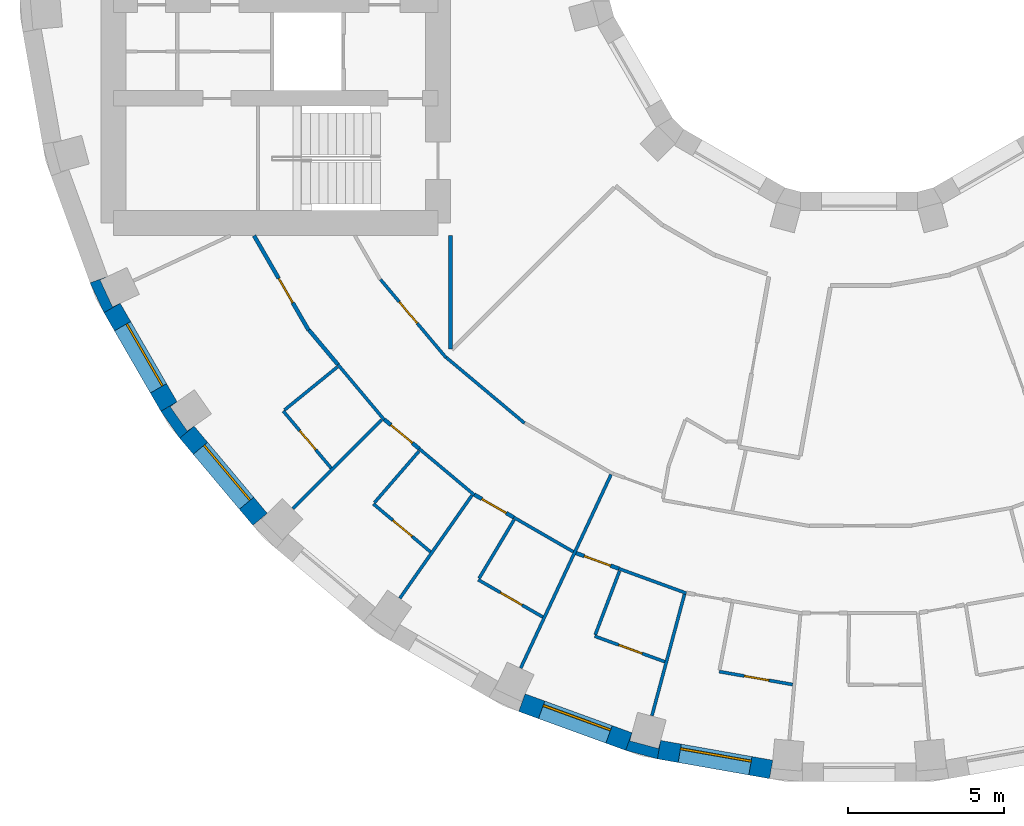
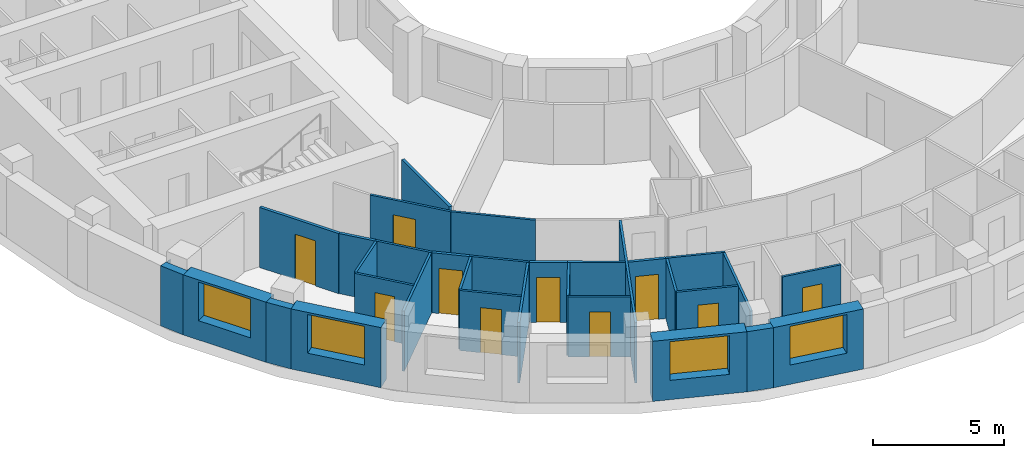
# One storey, part 4 of 14: 32 walls, 10 doors, 4 windows, 14 openings.
"""IFC4 building model written with IfcOpenShell, lengths in metres."""

from ifc_helpers import new_model, si_unit, direction, frame, frame_2d, origin, place, context, subcontext, project, spatial, polyline, rectangle, outline, extrude, material, layer, layer_set, type_object, element, fill, save


model = new_model("IFC4")

# Units and contexts
model_context = context("Model", 3, precision=1e-05, world=origin(), true_north=direction((0.0, 1.0)))
body_context = subcontext(model_context, "Body", "Model", "MODEL_VIEW")
ifc_project = project(units=[si_unit("LENGTHUNIT", "METRE"), si_unit("AREAUNIT", "SQUARE_METRE"), si_unit("VOLUMEUNIT", "CUBIC_METRE"), si_unit("PLANEANGLEUNIT", "RADIAN"), si_unit("MASSUNIT", "GRAM", prefix="KILO")], contexts=[model_context])

# Site, building, storey
site_placement = place(None, origin())
site = spatial("IfcSite", under=ifc_project, at=site_placement, CompositionType="ELEMENT")
building_placement = place(site_placement, origin())
building = spatial("IfcBuilding", under=site, at=building_placement, Name="Saqina Gate Tower", CompositionType="ELEMENT")
storey_placement = place(building_placement, frame((0.0, 0.0, 95.199951171875)))
storey = spatial("IfcBuildingStorey", under=building, at=storey_placement, Name="L26", CompositionType="ELEMENT", Elevation=95.199951171875)

# Walls
ifc_material_1 = material(Name="Brick masonry (buff)", Category="masonry")
wall_type_1 = type_object("IfcWallType", Name="BRICK PIER COPING BUFF", PredefinedType="SOLIDWALL", material=ifc_material_1)
wall_1_placement = place(storey_placement, origin())
element("IfcWall", 1, at=wall_1_placement, inside=storey, type_object=wall_type_1, Name="Pier cap L26 column 21", PredefinedType="SOLIDWALL", context=body_context, shape_type="SweptSolid", body=[
    extrude(outline(polyline([(-24.6513671875, -10.913330078125), (-24.205810546875, -11.869140625), (-23.68603515625, -11.569091796875), (-23.9296875, -11.6826171875), (-24.331298828125, -10.82177734375), (-24.08740234375, -10.7080078125), (-24.6513671875, -10.913330078125)])), origin(), (0.0, 0.0, 1.0), 2.800048828125),
])
wall_2_placement = place(storey_placement, origin())
element("IfcWall", 2, at=wall_2_placement, inside=storey, type_object=wall_type_1, Name="Pier cap L26 column 22", PredefinedType="SOLIDWALL", context=body_context, shape_type="SweptSolid", body=[
    extrude(outline(polyline([(-21.77685546875, -15.89208984375), (-21.317138671875, -15.50634765625), (-21.53759765625, -15.66064453125), (-22.08251953125, -14.88232421875), (-21.862060546875, -14.728271484375), (-22.3818359375, -15.0283203125), (-21.77685546875, -15.89208984375)])), origin(), (0.0, 0.0, 1.0), 2.800048828125),
])
wall_3_placement = place(storey_placement, origin())
element("IfcWall", 3, at=wall_3_placement, inside=storey, type_object=wall_type_1, Name="Pier cap L26 column 26", PredefinedType="SOLIDWALL", context=body_context, shape_type="SweptSolid", body=[
    extrude(outline(polyline([(-7.485595703125, -25.89892578125), (-6.466796875, -26.171875), (-6.36279296875, -25.5810546875), (-6.43212890625, -25.8408203125), (-7.349853515625, -25.5947265625), (-7.2802734375, -25.335205078125), (-7.485595703125, -25.89892578125)])), origin(), (0.0, 0.0, 1.0), 2.800048828125),
])

# Wall, opening, window
ifc_material_2 = material(Name="Brick masonry (buff)", Category="masonry")
ifc_layer_1 = layer(ifc_material_2, 0.60009765625)
ifc_layer_set_1 = layer_set([ifc_layer_1], Name="FW-BRICK-BUFF")
wall_type_2 = type_object("IfcWallType", Name="FW-BRICK-BUFF", PredefinedType="SOLIDWALL", material=ifc_layer_set_1)
wall_4_placement = place(storey_placement, frame((-23.94580078125, -11.718994140625, 0.0), z_axis=(0.0, 0.0, 1.0), x_axis=(0.499954196102, -0.866051847062, 0.0)))
wall_4 = element("IfcWall", 4, at=wall_4_placement, inside=storey, type_object=wall_type_2, Name="Facade wall L26 facet 21", PredefinedType="SOLIDWALL", context=body_context, shape_type="SweptSolid", body=[
    extrude(rectangle(XDim=3.647705078125, YDim=0.60009765625, at=frame_2d((1.82373046875, 0.0))), origin(), (0.0, 0.0, 1.0), 2.800048828125),
])
opening_1_placement = place(wall_4_placement, frame((0.673828125, 0.0, 0.89990234375)))
opening_1 = element("IfcOpeningElement", 5, at=opening_1_placement, cuts=wall_4, Name="Opening G07-W10", PredefinedType="OPENING", context=body_context, shape_type="SweptSolid", body=[
    extrude(rectangle(XDim=2.300048828125, YDim=1.800048828125, at=frame_2d((1.14990234375, 0.89990234375))), frame((0.0, 0.31201171875, 0.0), z_axis=(0.0, -1.0, 0.0), x_axis=(1.0, 0.0, 0.0)), (0.0, 0.0, 1.0), 0.6240234375),
])
ifc_material_3 = material(Name="Aluminium glazing", Category="aluminium")
window_type = type_object("IfcWindowType", Name="WN-B", PartitioningType="SINGLE_PANEL", PredefinedType="WINDOW", material=ifc_material_3)
window_1_placement = place(opening_1_placement, origin())
window_1 = element("IfcWindow", 6, at=window_1_placement, inside=storey, type_object=window_type, Name="Window L26 facet 21", OverallHeight=1.800048828125, OverallWidth=2.300048828125, PartitioningType="SINGLE_PANEL", PredefinedType="WINDOW", context=body_context, shape_type="SweptSolid", body=[
    extrude(rectangle(XDim=2.300048828125, YDim=1.800048828125, at=frame_2d((1.14990234375, 0.89990234375))), frame((0.0, 0.179931640625, 0.0), z_axis=(0.0, -1.0, 0.0), x_axis=(1.0, 0.0, 0.0)), (0.0, 0.0, 1.0), 0.06005859375),
])
fill(opening_1, window_1)

wall_5_placement = place(storey_placement, frame((-21.547119140625, -15.69921875, 0.0), z_axis=(0.0, 0.0, 1.0), x_axis=(0.642774476932, -0.766055462616, 0.0)))
wall_5 = element("IfcWall", 7, at=wall_5_placement, inside=storey, type_object=wall_type_2, Name="Facade wall L26 facet 22", PredefinedType="SOLIDWALL", context=body_context, shape_type="SweptSolid", body=[
    extrude(rectangle(XDim=3.647705078125, YDim=0.60009765625, at=frame_2d((1.82373046875, 0.0))), origin(), (0.0, 0.0, 1.0), 2.800048828125),
])
opening_2_placement = place(wall_5_placement, frame((0.673828125, 0.0, 0.89990234375)))
opening_2 = element("IfcOpeningElement", 8, at=opening_2_placement, cuts=wall_5, Name="Opening G07-W11", PredefinedType="OPENING", context=body_context, shape_type="SweptSolid", body=[
    extrude(rectangle(XDim=2.300048828125, YDim=1.800048828125, at=frame_2d((1.14990234375, 0.89990234375))), frame((0.0, 0.31201171875, 0.0), z_axis=(0.0, -1.0, 0.0), x_axis=(1.0, 0.0, 0.0)), (0.0, 0.0, 1.0), 0.6240234375),
])
window_2_placement = place(opening_2_placement, origin())
window_2 = element("IfcWindow", 9, at=window_2_placement, inside=storey, type_object=window_type, Name="Window L26 facet 22", OverallHeight=1.800048828125, OverallWidth=2.300048828125, PartitioningType="SINGLE_PANEL", PredefinedType="WINDOW", context=body_context, shape_type="SweptSolid", body=[
    extrude(rectangle(XDim=2.300048828125, YDim=1.800048828125, at=frame_2d((1.14990234375, 0.89990234375))), frame((0.0, 0.179931640625, 0.0), z_axis=(0.0, -1.0, 0.0), x_axis=(1.0, 0.0, 0.0)), (0.0, 0.0, 1.0), 0.06005859375),
])
fill(opening_2, window_2)

wall_6_placement = place(storey_placement, frame((-10.810791015625, -24.369384765625, 0.0), z_axis=(0.0, 0.0, 1.0), x_axis=(0.939703505393, -0.341990236633, 0.0)))
wall_6 = element("IfcWall", 10, at=wall_6_placement, inside=storey, type_object=wall_type_2, Name="Facade wall L26 facet 25", PredefinedType="SOLIDWALL", context=body_context, shape_type="SweptSolid", body=[
    extrude(rectangle(XDim=3.64794921875, YDim=0.60009765625, at=frame_2d((1.823974609375, 0.0))), origin(), (0.0, 0.0, 1.0), 2.800048828125),
])
opening_3_placement = place(wall_6_placement, frame((0.673828125, 0.0, 0.89990234375)))
opening_3 = element("IfcOpeningElement", 11, at=opening_3_placement, cuts=wall_6, Name="Opening G07-W14", PredefinedType="OPENING", context=body_context, shape_type="SweptSolid", body=[
    extrude(rectangle(XDim=2.300048828125, YDim=1.800048828125, at=frame_2d((1.14990234375, 0.89990234375))), frame((0.0, 0.31201171875, 0.0), z_axis=(0.0, -1.0, 0.0), x_axis=(1.0, 0.0, 0.0)), (0.0, 0.0, 1.0), 0.6240234375),
])
window_3_placement = place(opening_3_placement, origin())
window_3 = element("IfcWindow", 12, at=window_3_placement, inside=storey, type_object=window_type, Name="Window L26 facet 25", OverallHeight=1.800048828125, OverallWidth=2.300048828125, PartitioningType="SINGLE_PANEL", PredefinedType="WINDOW", context=body_context, shape_type="SweptSolid", body=[
    extrude(rectangle(XDim=2.300048828125, YDim=1.800048828125, at=frame_2d((1.14990234375, 0.89990234375))), frame((0.0, 0.179931640625, 0.0), z_axis=(0.0, -1.0, 0.0), x_axis=(1.0, 0.0, 0.0)), (0.0, 0.0, 1.0), 0.06005859375),
])
fill(opening_3, window_3)

wall_7_placement = place(storey_placement, frame((-6.414794921875, -25.87646484375, 0.0), z_axis=(0.0, 0.0, 1.0), x_axis=(0.984803764455, -0.173670796382, 0.0)))
wall_7 = element("IfcWall", 13, at=wall_7_placement, inside=storey, type_object=wall_type_2, Name="Facade wall L26 facet 26", PredefinedType="SOLIDWALL", context=body_context, shape_type="SweptSolid", body=[
    extrude(rectangle(XDim=3.64794921875, YDim=0.60009765625, at=frame_2d((1.823974609375, 0.0))), origin(), (0.0, 0.0, 1.0), 2.800048828125),
])
opening_4_placement = place(wall_7_placement, frame((0.673828125, 0.0, 0.89990234375)))
opening_4 = element("IfcOpeningElement", 14, at=opening_4_placement, cuts=wall_7, Name="Opening G07-W15", PredefinedType="OPENING", context=body_context, shape_type="SweptSolid", body=[
    extrude(rectangle(XDim=2.300048828125, YDim=1.800048828125, at=frame_2d((1.14990234375, 0.89990234375))), frame((0.0, 0.31201171875, 0.0), z_axis=(0.0, -1.0, 0.0), x_axis=(1.0, 0.0, 0.0)), (0.0, 0.0, 1.0), 0.6240234375),
])
window_4_placement = place(opening_4_placement, origin())
window_4 = element("IfcWindow", 15, at=window_4_placement, inside=storey, type_object=window_type, Name="Window L26 facet 26", OverallHeight=1.800048828125, OverallWidth=2.300048828125, PartitioningType="SINGLE_PANEL", PredefinedType="WINDOW", context=body_context, shape_type="SweptSolid", body=[
    extrude(rectangle(XDim=2.300048828125, YDim=1.800048828125, at=frame_2d((1.14990234375, 0.89990234375))), frame((0.0, 0.179931640625, 0.0), z_axis=(0.0, -1.0, 0.0), x_axis=(1.0, 0.0, 0.0)), (0.0, 0.0, 1.0), 0.06005859375),
])
fill(opening_4, window_4)

# Wall, opening, door
ifc_material_4 = material(Name="Gypsum board on steel studs, 100 mm", Category="steel")
ifc_layer_2 = layer(ifc_material_4, 0.10009765625)
ifc_layer_set_2 = layer_set([ifc_layer_2], Name="PARTITION 100")
wall_type_3 = type_object("IfcWallType", Name="PARTITION 100", PredefinedType="PARTITIONING", material=ifc_layer_set_2)
wall_8_placement = place(storey_placement, frame((-18.4599609375, -15.02197265625, 0.0), z_axis=(0.0, 0.0, 1.0), x_axis=(0.642942941421, -0.765914077477, 0.0)))
wall_8 = element("IfcWall", 16, at=wall_8_placement, inside=storey, type_object=wall_type_3, Name="PARTITION PW3-16", PredefinedType="PARTITIONING", context=body_context, shape_type="SweptSolid", body=[
    extrude(rectangle(XDim=2.390380859375, YDim=0.10009765625, at=frame_2d((1.1953125, 0.0))), origin(), (0.0, 0.0, 1.0), 2.800048828125),
])
opening_5_placement = place(wall_8_placement, frame((0.82080078125, 0.0, 0.0)))
opening_5 = element("IfcOpeningElement", 17, at=opening_5_placement, cuts=wall_8, Name="Opening G07-D26", PredefinedType="OPENING", context=body_context, shape_type="SweptSolid", body=[
    extrude(rectangle(XDim=0.800048828125, YDim=2.10009765625, at=frame_2d((0.39990234375, 1.050048828125))), frame((0.0, 0.06201171875, 0.0), z_axis=(0.0, -1.0, 0.0), x_axis=(1.0, 0.0, 0.0)), (0.0, 0.0, 1.0), 0.1240234375),
])
ifc_material_5 = material(Name="Timber door leaf, 800 mm", Category="wood")
door_type_1 = type_object("IfcDoorType", Name="DOOR 800 TIMBER", OperationType="SINGLE_SWING_LEFT", PredefinedType="DOOR", material=ifc_material_5)
door_1_placement = place(opening_5_placement, frame((0.800048828125, 0.0, 0.0), z_axis=(0.0, 0.0, 1.0), x_axis=(-1.0, 0.0, 0.0)))
door_1 = element("IfcDoor", 18, at=door_1_placement, inside=storey, type_object=door_type_1, Name="DOOR G07-D26", OperationType="SINGLE_SWING_LEFT", OverallHeight=2.10009765625, OverallWidth=0.800048828125, PredefinedType="DOOR", context=body_context, shape_type="SweptSolid", body=[
    extrude(rectangle(XDim=0.800048828125, YDim=2.10009765625, at=frame_2d((0.39990234375, 1.050048828125))), frame((0.0, 0.02490234375, 0.0), z_axis=(0.0, -1.0, 0.0), x_axis=(1.0, 0.0, 0.0)), (0.0, 0.0, 1.0), 0.050048828125),
])
fill(opening_5, door_1)

# Wall
wall_9_placement = place(storey_placement, frame((-16.708251953125, -13.53173828125, 0.0), z_axis=(0.0, 0.0, 1.0), x_axis=(0.642762571273, -0.766065452145, 0.0)))
element("IfcWall", 19, at=wall_9_placement, inside=storey, type_object=wall_type_3, Name="PARTITION PW3-17", PredefinedType="PARTITIONING", context=body_context, shape_type="SweptSolid", body=[
    extrude(rectangle(XDim=2.306640625, YDim=0.10009765625, at=frame_2d((1.1533203125, 0.0))), origin(), (0.0, 0.0, 1.0), 2.800048828125),
])

# Wall, opening, door
wall_10_placement = place(storey_placement, frame((-15.34375, -10.80419921875, 0.0), z_axis=(0.0, 0.0, 1.0), x_axis=(0.642602374159, -0.766199836025, 0.0)))
wall_10 = element("IfcWall", 20, at=wall_10_placement, inside=storey, type_object=wall_type_3, Name="PARTITION PW3-18", PredefinedType="PARTITIONING", context=body_context, shape_type="SweptSolid", body=[
    extrude(rectangle(XDim=3.27294921875, YDim=0.10009765625, at=frame_2d((1.636474609375, 0.0))), origin(), (0.0, 0.0, 1.0), 2.800048828125),
])
opening_6_placement = place(wall_10_placement, frame((0.93603515625, 0.0, 0.0)))
opening_6 = element("IfcOpeningElement", 21, at=opening_6_placement, cuts=wall_10, Name="Opening G07-D25", PredefinedType="OPENING", context=body_context, shape_type="SweptSolid", body=[
    extrude(rectangle(XDim=0.89990234375, YDim=2.10009765625, at=frame_2d((0.449951171875, 1.050048828125))), frame((0.0, 0.06201171875, 0.0), z_axis=(0.0, -1.0, 0.0), x_axis=(1.0, 0.0, 0.0)), (0.0, 0.0, 1.0), 0.1240234375),
])
ifc_material_6 = material(Name="Timber door leaf, 900 mm", Category="wood")
door_type_2 = type_object("IfcDoorType", Name="DOOR 900 TIMBER", OperationType="SINGLE_SWING_LEFT", PredefinedType="DOOR", material=ifc_material_6)
door_2_placement = place(opening_6_placement, origin())
door_2 = element("IfcDoor", 22, at=door_2_placement, inside=storey, type_object=door_type_2, Name="DOOR G07-D25", OperationType="SINGLE_SWING_RIGHT", OverallHeight=2.10009765625, OverallWidth=0.89990234375, PredefinedType="DOOR", context=body_context, shape_type="SweptSolid", body=[
    extrude(rectangle(XDim=0.89990234375, YDim=2.10009765625, at=frame_2d((0.449951171875, 1.050048828125))), frame((0.0, 0.02490234375, 0.0), z_axis=(0.0, -1.0, 0.0), x_axis=(1.0, 0.0, 0.0)), (0.0, 0.0, 1.0), 0.050048828125),
])
fill(opening_6, door_2)

wall_11_placement = place(storey_placement, frame((-15.571044921875, -17.9990234375, 0.0), z_axis=(0.0, 0.0, 1.0), x_axis=(0.765914077477, -0.642942941421, 0.0)))
wall_11 = element("IfcWall", 23, at=wall_11_placement, inside=storey, type_object=wall_type_3, Name="PARTITION PW3-23", PredefinedType="PARTITIONING", context=body_context, shape_type="SweptSolid", body=[
    extrude(rectangle(XDim=2.390380859375, YDim=0.10009765625, at=frame_2d((1.1953125, 0.0))), origin(), (0.0, 0.0, 1.0), 2.800048828125),
])
opening_7_placement = place(wall_11_placement, frame((0.820068359375, 0.0, 0.0)))
opening_7 = element("IfcOpeningElement", 24, at=opening_7_placement, cuts=wall_11, Name="Opening G07-D28", PredefinedType="OPENING", context=body_context, shape_type="SweptSolid", body=[
    extrude(rectangle(XDim=0.800048828125, YDim=2.10009765625, at=frame_2d((0.39990234375, 1.050048828125))), frame((0.0, 0.06201171875, 0.0), z_axis=(0.0, -1.0, 0.0), x_axis=(1.0, 0.0, 0.0)), (0.0, 0.0, 1.0), 0.1240234375),
])
door_3_placement = place(opening_7_placement, frame((0.800048828125, 0.0, 0.0), z_axis=(0.0, 0.0, 1.0), x_axis=(-1.0, 0.0, 0.0)))
door_3 = element("IfcDoor", 25, at=door_3_placement, inside=storey, type_object=door_type_1, Name="DOOR G07-D28", OperationType="SINGLE_SWING_LEFT", OverallHeight=2.10009765625, OverallWidth=0.800048828125, PredefinedType="DOOR", context=body_context, shape_type="SweptSolid", body=[
    extrude(rectangle(XDim=0.800048828125, YDim=2.10009765625, at=frame_2d((0.39990234375, 1.050048828125))), frame((0.0, 0.02490234375, 0.0), z_axis=(0.0, -1.0, 0.0), x_axis=(1.0, 0.0, 0.0)), (0.0, 0.0, 1.0), 0.050048828125),
])
fill(opening_7, door_3)

# Walls
wall_12_placement = place(storey_placement, frame((-14.104248046875, -16.227783203125, 0.0), z_axis=(0.0, 0.0, 1.0), x_axis=(0.76604687987, -0.642784705669, 0.0)))
element("IfcWall", 26, at=wall_12_placement, inside=storey, type_object=wall_type_3, Name="PARTITION PW3-24", PredefinedType="PARTITIONING", context=body_context, shape_type="SweptSolid", body=[
    extrude(rectangle(XDim=2.305419921875, YDim=0.10009765625, at=frame_2d((1.15283203125, 0.0))), origin(), (0.0, 0.0, 1.0), 2.800048828125),
])
wall_13_placement = place(storey_placement, frame((-13.234619140625, -13.30517578125, 0.0), z_axis=(0.0, 0.0, 1.0), x_axis=(0.766132303871, -0.642682886784, 0.0)))
element("IfcWall", 27, at=wall_13_placement, inside=storey, type_object=wall_type_3, Name="PARTITION PW3-25", PredefinedType="PARTITIONING", context=body_context, shape_type="SweptSolid", body=[
    extrude(rectangle(XDim=3.27294921875, YDim=0.10009765625, at=frame_2d((1.636474609375, 0.0))), origin(), (0.0, 0.0, 1.0), 2.800048828125),
])

# Wall, opening, door
wall_14_placement = place(storey_placement, frame((-12.208984375, -20.429931640625, 0.0), z_axis=(0.0, 0.0, 1.0), x_axis=(0.865989934965, -0.500061428766, 0.0)))
wall_14 = element("IfcWall", 28, at=wall_14_placement, inside=storey, type_object=wall_type_3, Name="PARTITION PW3-30", PredefinedType="PARTITIONING", context=body_context, shape_type="SweptSolid", body=[
    extrude(rectangle(XDim=2.389892578125, YDim=0.10009765625, at=frame_2d((1.19482421875, 0.0))), origin(), (0.0, 0.0, 1.0), 2.800048828125),
])
opening_8_placement = place(wall_14_placement, frame((0.820068359375, 0.0, 0.0)))
opening_8 = element("IfcOpeningElement", 29, at=opening_8_placement, cuts=wall_14, Name="Opening G07-D30", PredefinedType="OPENING", context=body_context, shape_type="SweptSolid", body=[
    extrude(rectangle(XDim=0.800048828125, YDim=2.10009765625, at=frame_2d((0.39990234375, 1.050048828125))), frame((0.0, 0.06201171875, 0.0), z_axis=(0.0, -1.0, 0.0), x_axis=(1.0, 0.0, 0.0)), (0.0, 0.0, 1.0), 0.1240234375),
])
door_4_placement = place(opening_8_placement, frame((0.800048828125, 0.0, 0.0), z_axis=(0.0, 0.0, 1.0), x_axis=(-1.0, 0.0, 0.0)))
door_4 = element("IfcDoor", 30, at=door_4_placement, inside=storey, type_object=door_type_1, Name="DOOR G07-D30", OperationType="SINGLE_SWING_LEFT", OverallHeight=2.10009765625, OverallWidth=0.800048828125, PredefinedType="DOOR", context=body_context, shape_type="SweptSolid", body=[
    extrude(rectangle(XDim=0.800048828125, YDim=2.10009765625, at=frame_2d((0.39990234375, 1.050048828125))), frame((0.0, 0.02490234375, 0.0), z_axis=(0.0, -1.0, 0.0), x_axis=(1.0, 0.0, 0.0)), (0.0, 0.0, 1.0), 0.050048828125),
])
fill(opening_8, door_4)

# Wall
wall_15_placement = place(storey_placement, frame((-11.072265625, -18.429931640625, 0.0), z_axis=(0.0, 0.0, 1.0), x_axis=(0.865848017448, -0.500307116361, 0.0)))
element("IfcWall", 31, at=wall_15_placement, inside=storey, type_object=wall_type_3, Name="PARTITION PW3-31", PredefinedType="PARTITIONING", context=body_context, shape_type="SweptSolid", body=[
    extrude(rectangle(XDim=2.20458984375, YDim=0.10009765625, at=frame_2d((1.102294921875, 0.0))), origin(), (0.0, 0.0, 1.0), 2.800048828125),
])

# Wall, opening, door
wall_16_placement = place(storey_placement, frame((-8.47607421875, -22.239013671875, 0.0), z_axis=(0.0, 0.0, 1.0), x_axis=(0.939644231496, -0.342153062556, 0.0)))
wall_16 = element("IfcWall", 32, at=wall_16_placement, inside=storey, type_object=wall_type_3, Name="PARTITION PW3-36", PredefinedType="PARTITIONING", context=body_context, shape_type="SweptSolid", body=[
    extrude(rectangle(XDim=2.390380859375, YDim=0.10009765625, at=frame_2d((1.1953125, 0.0))), origin(), (0.0, 0.0, 1.0), 2.800048828125),
])
opening_9_placement = place(wall_16_placement, frame((0.8203125, 0.0, 0.0)))
opening_9 = element("IfcOpeningElement", 33, at=opening_9_placement, cuts=wall_16, Name="Opening G07-D33", PredefinedType="OPENING", context=body_context, shape_type="SweptSolid", body=[
    extrude(rectangle(XDim=0.800048828125, YDim=2.10009765625, at=frame_2d((0.39990234375, 1.050048828125))), frame((0.0, 0.06201171875, 0.0), z_axis=(0.0, -1.0, 0.0), x_axis=(1.0, 0.0, 0.0)), (0.0, 0.0, 1.0), 0.1240234375),
])
door_5_placement = place(opening_9_placement, frame((0.800048828125, 0.0, 0.0), z_axis=(0.0, 0.0, 1.0), x_axis=(-1.0, 0.0, 0.0)))
door_5 = element("IfcDoor", 34, at=door_5_placement, inside=storey, type_object=door_type_1, Name="DOOR G07-D33", OperationType="SINGLE_SWING_LEFT", OverallHeight=2.10009765625, OverallWidth=0.800048828125, PredefinedType="DOOR", context=body_context, shape_type="SweptSolid", body=[
    extrude(rectangle(XDim=0.800048828125, YDim=2.10009765625, at=frame_2d((0.39990234375, 1.050048828125))), frame((0.0, 0.02490234375, 0.0), z_axis=(0.0, -1.0, 0.0), x_axis=(1.0, 0.0, 0.0)), (0.0, 0.0, 1.0), 0.050048828125),
])
fill(opening_9, door_5)

# Wall
wall_17_placement = place(storey_placement, frame((-7.7041015625, -20.073486328125, 0.0), z_axis=(0.0, 0.0, 1.0), x_axis=(0.939734670151, -0.34190459154, 0.0)))
element("IfcWall", 35, at=wall_17_placement, inside=storey, type_object=wall_type_3, Name="PARTITION PW3-37", PredefinedType="PARTITIONING", context=body_context, shape_type="SweptSolid", body=[
    extrude(rectangle(XDim=2.3056640625, YDim=0.10009765625, at=frame_2d((1.15283203125, 0.0))), origin(), (0.0, 0.0, 1.0), 2.800048828125),
])

# Wall, opening, door
wall_18_placement = place(storey_placement, frame((-4.486083984375, -23.373046875, 0.0), z_axis=(0.0, 0.0, 1.0), x_axis=(0.984798975022, -0.17369795277, 0.0)))
wall_18 = element("IfcWall", 36, at=wall_18_placement, inside=storey, type_object=wall_type_3, Name="PARTITION PW3-44", PredefinedType="PARTITIONING", context=body_context, shape_type="SweptSolid", body=[
    extrude(rectangle(XDim=2.390869140625, YDim=0.10009765625, at=frame_2d((1.1953125, 0.0))), origin(), (0.0, 0.0, 1.0), 2.800048828125),
])
opening_10_placement = place(wall_18_placement, frame((0.820556640625, 0.0, 0.0)))
opening_10 = element("IfcOpeningElement", 37, at=opening_10_placement, cuts=wall_18, Name="Opening G07-D37", PredefinedType="OPENING", context=body_context, shape_type="SweptSolid", body=[
    extrude(rectangle(XDim=0.800048828125, YDim=2.10009765625, at=frame_2d((0.39990234375, 1.050048828125))), frame((0.0, 0.06201171875, 0.0), z_axis=(0.0, -1.0, 0.0), x_axis=(1.0, 0.0, 0.0)), (0.0, 0.0, 1.0), 0.1240234375),
])
door_6_placement = place(opening_10_placement, frame((0.800048828125, 0.0, 0.0), z_axis=(0.0, 0.0, 1.0), x_axis=(-1.0, 0.0, 0.0)))
door_6 = element("IfcDoor", 38, at=door_6_placement, inside=storey, type_object=door_type_1, Name="DOOR G07-D37", OperationType="SINGLE_SWING_LEFT", OverallHeight=2.10009765625, OverallWidth=0.800048828125, PredefinedType="DOOR", context=body_context, shape_type="SweptSolid", body=[
    extrude(rectangle(XDim=0.800048828125, YDim=2.10009765625, at=frame_2d((0.39990234375, 1.050048828125))), frame((0.0, 0.02490234375, 0.0), z_axis=(0.0, -1.0, 0.0), x_axis=(1.0, 0.0, 0.0)), (0.0, 0.0, 1.0), 0.050048828125),
])
fill(opening_10, door_6)

# Walls
wall_19_placement = place(storey_placement, frame((-18.419189453125, -14.98876953125, 0.0), z_axis=(0.0, 0.0, 1.0), x_axis=(0.775583643893, 0.63124481093, 0.0)))
element("IfcWall", 39, at=wall_19_placement, inside=storey, type_object=wall_type_3, Name="PARTITION PW3-76", PredefinedType="PARTITIONING", context=body_context, shape_type="SweptSolid", body=[
    extrude(rectangle(XDim=2.18359375, YDim=0.10009765625, at=frame_2d((1.091796875, 0.0))), origin(), (0.0, 0.0, 1.0), 2.800048828125),
])
wall_20_placement = place(storey_placement, frame((-18.14794921875, -18.14794921875, 0.0), z_axis=(0.0, 0.0, 1.0), x_axis=(0.707106781187, 0.707106781187, 0.0)))
element("IfcWall", 40, at=wall_20_placement, inside=storey, type_object=wall_type_3, Name="PARTITION PW3-79", PredefinedType="PARTITIONING", context=body_context, shape_type="SweptSolid", body=[
    extrude(rectangle(XDim=4.02294921875, YDim=0.10009765625, at=frame_2d((2.011474609375, 0.0))), origin(), (0.0, 0.0, 1.0), 2.800048828125),
])
wall_21_placement = place(storey_placement, frame((-15.538330078125, -17.961181640625, 0.0), z_axis=(0.0, 0.0, 1.0), x_axis=(0.654433202149, 0.756119821143, 0.0)))
element("IfcWall", 41, at=wall_21_placement, inside=storey, type_object=wall_type_3, Name="PARTITION PW3-81", PredefinedType="PARTITIONING", context=body_context, shape_type="SweptSolid", body=[
    extrude(rectangle(XDim=2.187255859375, YDim=0.10009765625, at=frame_2d((1.09375, 0.0))), origin(), (0.0, 0.0, 1.0), 2.800048828125),
])
wall_22_placement = place(storey_placement, frame((-14.721435546875, -21.02294921875, 0.0), z_axis=(0.0, 0.0, 1.0), x_axis=(0.573849206175, 0.818960981105, 0.0)))
element("IfcWall", 42, at=wall_22_placement, inside=storey, type_object=wall_type_3, Name="PARTITION PW3-85", PredefinedType="PARTITIONING", context=body_context, shape_type="SweptSolid", body=[
    extrude(rectangle(XDim=4.02294921875, YDim=0.10009765625, at=frame_2d((2.011474609375, 0.0))), origin(), (0.0, 0.0, 1.0), 2.800048828125),
])
wall_23_placement = place(storey_placement, frame((-12.183349609375, -20.386962890625, 0.0), z_axis=(0.0, 0.0, 1.0), x_axis=(0.512903306279, 0.85844638645, 0.0)))
element("IfcWall", 43, at=wall_23_placement, inside=storey, type_object=wall_type_3, Name="PARTITION PW3-87", PredefinedType="PARTITIONING", context=body_context, shape_type="SweptSolid", body=[
    extrude(rectangle(XDim=2.188232421875, YDim=0.10009765625, at=frame_2d((1.09423828125, 0.0))), origin(), (0.0, 0.0, 1.0), 2.800048828125),
])
wall_24_placement = place(storey_placement, frame((-10.84765625, -23.260009765625, 0.0), z_axis=(0.0, 0.0, 1.0), x_axis=(0.422908898334, 0.906172204225, 0.0)))
element("IfcWall", 44, at=wall_24_placement, inside=storey, type_object=wall_type_3, Name="PARTITION PW3-90", PredefinedType="PARTITIONING", context=body_context, shape_type="SweptSolid", body=[
    extrude(rectangle(XDim=6.84423828125, YDim=0.10009765625, at=frame_2d((3.422119140625, 0.0))), origin(), (0.0, 0.0, 1.0), 2.800048828125),
])
wall_25_placement = place(storey_placement, frame((-8.458251953125, -22.1923828125, 0.0), z_axis=(0.0, 0.0, 1.0), x_axis=(0.356134598474, 0.93443466747, 0.0)))
element("IfcWall", 45, at=wall_25_placement, inside=storey, type_object=wall_type_3, Name="PARTITION PW3-92", PredefinedType="PARTITIONING", context=body_context, shape_type="SweptSolid", body=[
    extrude(rectangle(XDim=2.186767578125, YDim=0.10009765625, at=frame_2d((1.09326171875, 0.0))), origin(), (0.0, 0.0, 1.0), 2.800048828125),
])
wall_26_placement = place(storey_placement, frame((-6.64208984375, -24.79052734375, 0.0), z_axis=(0.0, 0.0, 1.0), x_axis=(0.258615129659, 0.965980442199, 0.0)))
element("IfcWall", 46, at=wall_26_placement, inside=storey, type_object=wall_type_3, Name="PARTITION PW3-95", PredefinedType="PARTITIONING", context=body_context, shape_type="SweptSolid", body=[
    extrude(rectangle(XDim=4.03564453125, YDim=0.10009765625, at=frame_2d((2.017822265625, 0.0))), origin(), (0.0, 0.0, 1.0), 2.800048828125),
])

# Wall, opening, door
ifc_material_7 = material(Name="Gypsum board on steel studs, 125 mm, fire rated", Category="steel")
ifc_layer_3 = layer(ifc_material_7, 0.125)
ifc_layer_set_3 = layer_set([ifc_layer_3], Name="PARTITION EI 30 125")
wall_type_4 = type_object("IfcWallType", Name="PARTITION EI 30 125", PredefinedType="PARTITIONING", material=ifc_layer_set_3)
wall_27_placement = place(storey_placement, frame((-19.394775390625, -9.40185546875, 0.0), z_axis=(0.0, 0.0, 1.0), x_axis=(0.499726480438, -0.866183262797, 0.0)))
wall_27 = element("IfcWall", 47, at=wall_27_placement, inside=storey, type_object=wall_type_4, Name="PARTITION PW1-02", PredefinedType="PARTITIONING", context=body_context, shape_type="SweptSolid", body=[
    extrude(rectangle(XDim=3.4990234375, YDim=0.125, at=frame_2d((1.74951171875, 0.0))), origin(), (0.0, 0.0, 1.0), 2.800048828125),
])
opening_11_placement = place(wall_27_placement, frame((1.58056640625, 0.0, 0.0)))
opening_11 = element("IfcOpeningElement", 48, at=opening_11_placement, cuts=wall_27, Name="Opening G07-D24", PredefinedType="OPENING", context=body_context, shape_type="SweptSolid", body=[
    extrude(rectangle(XDim=0.89990234375, YDim=2.10009765625, at=frame_2d((0.449951171875, 1.050048828125))), frame((0.0, 0.074462890625, 0.0), z_axis=(0.0, -1.0, 0.0), x_axis=(1.0, 0.0, 0.0)), (0.0, 0.0, 1.0), 0.14892578125),
])
ifc_material_8 = material(Name="Fire door leaf EI 30, 900 mm")
door_type_3 = type_object("IfcDoorType", Name="DOOR 900 EI 30", OperationType="SINGLE_SWING_LEFT", PredefinedType="DOOR", material=ifc_material_8)
door_7_placement = place(opening_11_placement, origin())
door_7 = element("IfcDoor", 49, at=door_7_placement, inside=storey, type_object=door_type_3, Name="DOOR G07-D24", OperationType="SINGLE_SWING_RIGHT", OverallHeight=2.10009765625, OverallWidth=0.89990234375, PredefinedType="DOOR", context=body_context, shape_type="SweptSolid", body=[
    extrude(rectangle(XDim=0.89990234375, YDim=2.10009765625, at=frame_2d((0.449951171875, 1.050048828125))), frame((0.0, 0.02490234375, 0.0), z_axis=(0.0, -1.0, 0.0), x_axis=(1.0, 0.0, 0.0)), (0.0, 0.0, 1.0), 0.050048828125),
])
fill(opening_11, door_7)

# Wall
wall_28_placement = place(storey_placement, frame((-17.63671875, -12.4248046875, 0.0), z_axis=(0.0, 0.0, 1.0), x_axis=(0.642641061866, -0.766167387458, 0.0)))
element("IfcWall", 50, at=wall_28_placement, inside=storey, type_object=wall_type_4, Name="PARTITION PW1-07", PredefinedType="PARTITIONING", context=body_context, shape_type="SweptSolid", body=[
    extrude(rectangle(XDim=1.44482421875, YDim=0.125, at=frame_2d((0.722412109375, 0.0))), origin(), (0.0, 0.0, 1.0), 2.800048828125),
])

# Wall, opening, door
wall_29_placement = place(storey_placement, frame((-15.2197265625, -15.2919921875, 0.0), z_axis=(0.0, 0.0, 1.0), x_axis=(0.766114305984, -0.642704341177, 0.0)))
wall_29 = element("IfcWall", 51, at=wall_29_placement, inside=storey, type_object=wall_type_4, Name="PARTITION PW1-11", PredefinedType="PARTITIONING", context=body_context, shape_type="SweptSolid", body=[
    extrude(rectangle(XDim=1.4560546875, YDim=0.125, at=frame_2d((0.72802734375, 0.0))), origin(), (0.0, 0.0, 1.0), 2.800048828125),
])
opening_12_placement = place(wall_29_placement, frame((0.278076171875, 0.0, 0.0)))
opening_12 = element("IfcOpeningElement", 52, at=opening_12_placement, cuts=wall_29, Name="Opening G07-D27", PredefinedType="OPENING", context=body_context, shape_type="SweptSolid", body=[
    extrude(rectangle(XDim=0.89990234375, YDim=2.10009765625, at=frame_2d((0.449951171875, 1.050048828125))), frame((0.0, 0.074462890625, 0.0), z_axis=(0.0, -1.0, 0.0), x_axis=(1.0, 0.0, 0.0)), (0.0, 0.0, 1.0), 0.14892578125),
])
door_8_placement = place(opening_12_placement, origin())
door_8 = element("IfcDoor", 53, at=door_8_placement, inside=storey, type_object=door_type_3, Name="DOOR G07-D27", OperationType="SINGLE_SWING_LEFT", OverallHeight=2.10009765625, OverallWidth=0.89990234375, PredefinedType="DOOR", context=body_context, shape_type="SweptSolid", body=[
    extrude(rectangle(XDim=0.89990234375, YDim=2.10009765625, at=frame_2d((0.449951171875, 1.050048828125))), frame((0.0, 0.02490234375, 0.0), z_axis=(0.0, -1.0, 0.0), x_axis=(1.0, 0.0, 0.0)), (0.0, 0.0, 1.0), 0.050048828125),
])
fill(opening_12, door_8)

wall_30_placement = place(storey_placement, frame((-12.333740234375, -17.701904296875, 0.0), z_axis=(0.0, 0.0, 1.0), x_axis=(0.866110229381, -0.499853048967, 0.0)))
wall_30 = element("IfcWall", 54, at=wall_30_placement, inside=storey, type_object=wall_type_4, Name="PARTITION PW1-15", PredefinedType="PARTITIONING", context=body_context, shape_type="SweptSolid", body=[
    extrude(rectangle(XDim=1.45654296875, YDim=0.125, at=frame_2d((0.728271484375, 0.0))), origin(), (0.0, 0.0, 1.0), 2.800048828125),
])
opening_13_placement = place(wall_30_placement, frame((0.2783203125, 0.0, 0.0)))
opening_13 = element("IfcOpeningElement", 55, at=opening_13_placement, cuts=wall_30, Name="Opening G07-D29", PredefinedType="OPENING", context=body_context, shape_type="SweptSolid", body=[
    extrude(rectangle(XDim=0.89990234375, YDim=2.10009765625, at=frame_2d((0.449951171875, 1.050048828125))), frame((0.0, 0.074462890625, 0.0), z_axis=(0.0, -1.0, 0.0), x_axis=(1.0, 0.0, 0.0)), (0.0, 0.0, 1.0), 0.14892578125),
])
door_9_placement = place(opening_13_placement, origin())
door_9 = element("IfcDoor", 56, at=door_9_placement, inside=storey, type_object=door_type_3, Name="DOOR G07-D29", OperationType="SINGLE_SWING_LEFT", OverallHeight=2.10009765625, OverallWidth=0.89990234375, PredefinedType="DOOR", context=body_context, shape_type="SweptSolid", body=[
    extrude(rectangle(XDim=0.89990234375, YDim=2.10009765625, at=frame_2d((0.449951171875, 1.050048828125))), frame((0.0, 0.02490234375, 0.0), z_axis=(0.0, -1.0, 0.0), x_axis=(1.0, 0.0, 0.0)), (0.0, 0.0, 1.0), 0.050048828125),
])
fill(opening_13, door_9)

wall_31_placement = place(storey_placement, frame((-9.072998046875, -19.5751953125, 0.0), z_axis=(0.0, 0.0, 1.0), x_axis=(0.939788529673, -0.341756520778, 0.0)))
wall_31 = element("IfcWall", 57, at=wall_31_placement, inside=storey, type_object=wall_type_4, Name="PARTITION PW1-19", PredefinedType="PARTITIONING", context=body_context, shape_type="SweptSolid", body=[
    extrude(rectangle(XDim=1.45654296875, YDim=0.125, at=frame_2d((0.728271484375, 0.0))), origin(), (0.0, 0.0, 1.0), 2.800048828125),
])
opening_14_placement = place(wall_31_placement, frame((0.2783203125, 0.0, 0.0)))
opening_14 = element("IfcOpeningElement", 58, at=opening_14_placement, cuts=wall_31, Name="Opening G07-D31", PredefinedType="OPENING", context=body_context, shape_type="SweptSolid", body=[
    extrude(rectangle(XDim=0.89990234375, YDim=2.10009765625, at=frame_2d((0.449951171875, 1.050048828125))), frame((0.0, 0.074462890625, 0.0), z_axis=(0.0, -1.0, 0.0), x_axis=(1.0, 0.0, 0.0)), (0.0, 0.0, 1.0), 0.14892578125),
])
door_10_placement = place(opening_14_placement, origin())
door_10 = element("IfcDoor", 59, at=door_10_placement, inside=storey, type_object=door_type_3, Name="DOOR G07-D31", OperationType="SINGLE_SWING_LEFT", OverallHeight=2.10009765625, OverallWidth=0.89990234375, PredefinedType="DOOR", context=body_context, shape_type="SweptSolid", body=[
    extrude(rectangle(XDim=0.89990234375, YDim=2.10009765625, at=frame_2d((0.449951171875, 1.050048828125))), frame((0.0, 0.02490234375, 0.0), z_axis=(0.0, -1.0, 0.0), x_axis=(1.0, 0.0, 0.0)), (0.0, 0.0, 1.0), 0.050048828125),
])
fill(opening_14, door_10)

# Wall
wall_32_placement = place(storey_placement, frame((-13.10009765625, -13.032470703125, 0.0), z_axis=(0.0, 0.0, 1.0), x_axis=(0.0, 1.0, 0.0)))
element("IfcWall", 60, at=wall_32_placement, inside=storey, type_object=wall_type_4, Name="PARTITION PW1-51", PredefinedType="PARTITIONING", context=body_context, shape_type="SweptSolid", body=[
    extrude(rectangle(XDim=3.631591796875, YDim=0.125, at=frame_2d((1.81591796875, 0.0))), origin(), (0.0, 0.0, 1.0), 2.800048828125),
])

save(model, "model.ifc")
